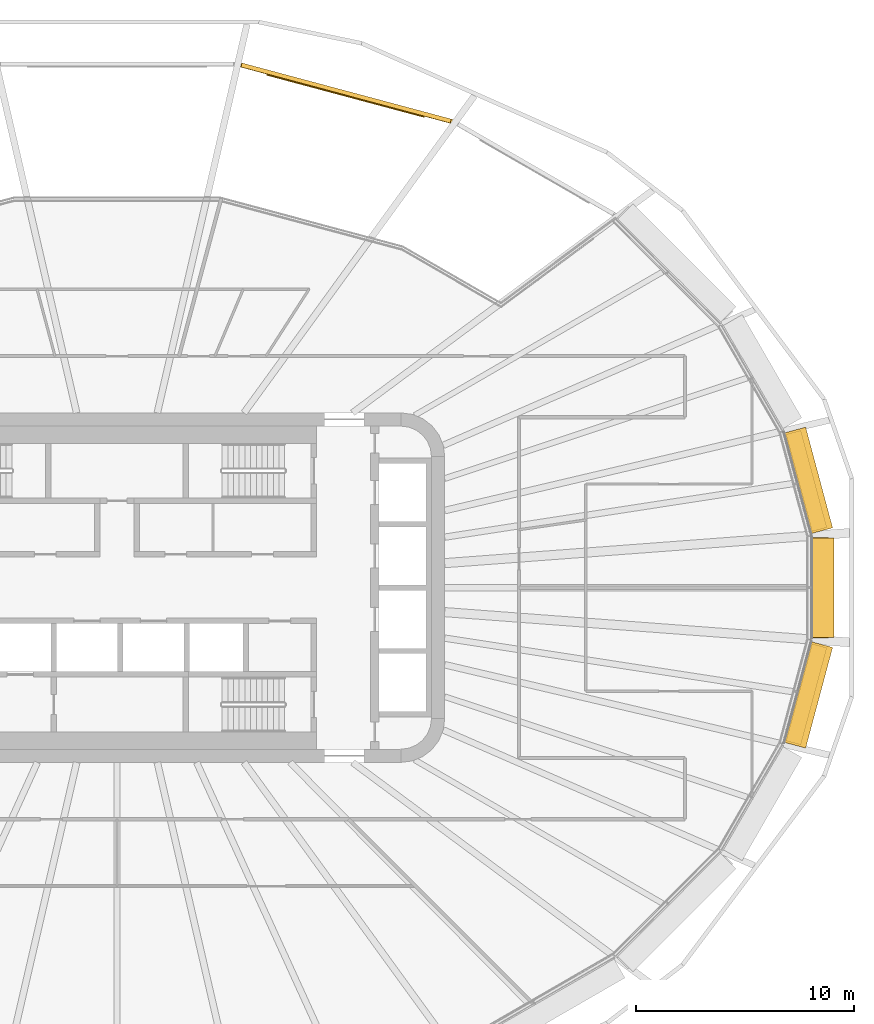
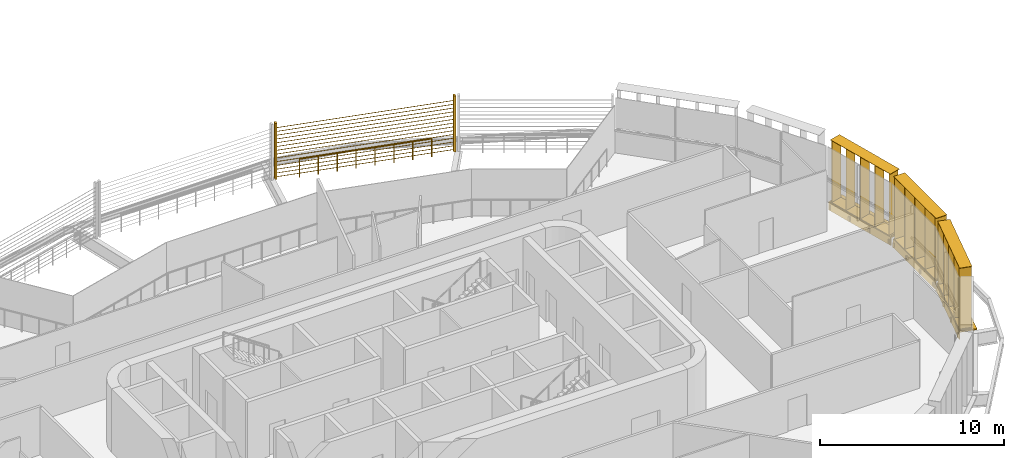
# One storey, part 25 of 25: 7 shading devices, 1 railing.
"""IFC4 building model written with IfcOpenShell, lengths in metres."""

from ifc_helpers import new_model, si_unit, direction, frame, origin, origin_2d, place, context, subcontext, project, spatial, rectangle, circle, extrude, material, type_object, element, save


model = new_model("IFC4")

# Units and contexts
model_context = context("Model", 3, precision=1e-05, world=origin(), true_north=direction((0.0, 1.0)))
body_context = subcontext(model_context, "Body", "Model", "MODEL_VIEW")
ifc_project = project(units=[si_unit("LENGTHUNIT", "METRE"), si_unit("AREAUNIT", "SQUARE_METRE"), si_unit("VOLUMEUNIT", "CUBIC_METRE"), si_unit("PLANEANGLEUNIT", "RADIAN"), si_unit("MASSUNIT", "GRAM", prefix="KILO")], contexts=[model_context])

# Site, building, storey
site_placement = place(None, origin())
site = spatial("IfcSite", under=ifc_project, at=site_placement, CompositionType="ELEMENT")
building_placement = place(site_placement, origin())
building = spatial("IfcBuilding", under=site, at=building_placement, Name="Sahrelin Media Tower", CompositionType="ELEMENT")
storey_placement = place(building_placement, frame((0.0, 0.0, 127.199951171875)))
storey = spatial("IfcBuildingStorey", under=building, at=storey_placement, Name="L25", CompositionType="ELEMENT", Elevation=127.199951171875)

# Shading devices
ifc_material_1 = material(Name="Champagne anodised aluminium 6063-T6", Category="aluminium")
shading_device_type_1 = type_object("IfcShadingDeviceType", Name="Fin cassette", PredefinedType="USERDEFINED", material=ifc_material_1)
placement_1 = place(storey_placement, frame((31.798095703125, 0.0, 0.0), z_axis=(0.0, 0.0, 1.0), x_axis=(0.0, -1.0, 0.0)))
element("IfcShadingDevice", 1, at=placement_1, inside=storey, type_object=shading_device_type_1, Name="L25:FIN:L25-00", ObjectType="FIN", PredefinedType="USERDEFINED", context=body_context, shape_type="SweptSolid", body=[
    extrude(rectangle(XDim=4.60009765625, YDim=0.699951171875, at=origin_2d()), frame((0.0, 0.419921875, 0.0)), (0.0, 0.0, 1.0), 0.02001953125),
    extrude(rectangle(XDim=4.60009765625, YDim=0.699951171875, at=origin_2d()), frame((0.0, 0.419921875, 4.10009765625)), (0.0, 0.0, 1.0), 0.02001953125),
    extrude(rectangle(XDim=0.02001953125, YDim=0.699951171875, at=origin_2d()), frame((-2.199951171875, 0.419921875, 0.010009765625), z_axis=(0.0, 0.0, 1.0), x_axis=(1.0, 0.0, 0.0)), (0.0, 0.0, 1.0), 4.10009765625),
    extrude(rectangle(XDim=0.02001953125, YDim=0.699951171875, at=origin_2d()), frame((-1.10009765625, 0.419921875, 0.010009765625), z_axis=(0.0, 0.0, 1.0), x_axis=(1.0, 0.0, 0.0)), (0.0, 0.0, 1.0), 4.10009765625),
    extrude(rectangle(XDim=0.02001953125, YDim=0.699951171875, at=origin_2d()), frame((0.0, 0.419921875, 0.010009765625), z_axis=(0.0, 0.0, 1.0), x_axis=(1.0, 0.0, 0.0)), (0.0, 0.0, 1.0), 4.10009765625),
    extrude(rectangle(XDim=0.02001953125, YDim=0.699951171875, at=origin_2d()), frame((1.10009765625, 0.419921875, 0.010009765625), z_axis=(0.0, 0.0, 1.0), x_axis=(1.0, 0.0, 0.0)), (0.0, 0.0, 1.0), 4.10009765625),
    extrude(rectangle(XDim=0.02001953125, YDim=0.699951171875, at=origin_2d()), frame((2.199951171875, 0.419921875, 0.010009765625), z_axis=(0.0, 0.0, 1.0), x_axis=(1.0, 0.0, 0.0)), (0.0, 0.0, 1.0), 4.10009765625),
])
placement_2 = place(storey_placement, frame((31.155029296875, 4.775634765625, 0.0), z_axis=(0.0, 0.0, 1.0), x_axis=(0.258807731996, -0.965928857556, 0.0)))
element("IfcShadingDevice", 2, at=placement_2, inside=storey, type_object=shading_device_type_1, Name="L25:FIN:L25-01", ObjectType="FIN", PredefinedType="USERDEFINED", context=body_context, shape_type="SweptSolid", body=[
    extrude(rectangle(XDim=4.60009765625, YDim=0.699951171875, at=origin_2d()), frame((0.0, 0.419921875, 0.0)), (0.0, 0.0, 1.0), 0.02001953125),
    extrude(rectangle(XDim=4.60009765625, YDim=0.699951171875, at=origin_2d()), frame((0.0, 0.419921875, 4.10009765625)), (0.0, 0.0, 1.0), 0.02001953125),
    extrude(rectangle(XDim=0.02001953125, YDim=0.699951171875, at=origin_2d()), frame((-2.199951171875, 0.419921875, 0.010009765625), z_axis=(0.0, 0.0, 1.0), x_axis=(1.0, 0.0, 0.0)), (0.0, 0.0, 1.0), 4.10009765625),
    extrude(rectangle(XDim=0.02001953125, YDim=0.699951171875, at=origin_2d()), frame((-1.10009765625, 0.419921875, 0.010009765625), z_axis=(0.0, 0.0, 1.0), x_axis=(1.0, 0.0, 0.0)), (0.0, 0.0, 1.0), 4.10009765625),
    extrude(rectangle(XDim=0.02001953125, YDim=0.699951171875, at=origin_2d()), frame((0.0, 0.419921875, 0.010009765625), z_axis=(0.0, 0.0, 1.0), x_axis=(1.0, 0.0, 0.0)), (0.0, 0.0, 1.0), 4.10009765625),
    extrude(rectangle(XDim=0.02001953125, YDim=0.699951171875, at=origin_2d()), frame((1.10009765625, 0.419921875, 0.010009765625), z_axis=(0.0, 0.0, 1.0), x_axis=(1.0, 0.0, 0.0)), (0.0, 0.0, 1.0), 4.10009765625),
    extrude(rectangle(XDim=0.02001953125, YDim=0.699951171875, at=origin_2d()), frame((2.199951171875, 0.419921875, 0.010009765625), z_axis=(0.0, 0.0, 1.0), x_axis=(1.0, 0.0, 0.0)), (0.0, 0.0, 1.0), 4.10009765625),
])
placement_3 = place(storey_placement, frame((31.155029296875, -4.77587890625, 0.0), z_axis=(0.0, 0.0, 1.0), x_axis=(-0.258807731996, -0.965928857556, 0.0)))
element("IfcShadingDevice", 3, at=placement_3, inside=storey, type_object=shading_device_type_1, Name="L25:FIN:L25-23", ObjectType="FIN", PredefinedType="USERDEFINED", context=body_context, shape_type="SweptSolid", body=[
    extrude(rectangle(XDim=4.60009765625, YDim=0.699951171875, at=origin_2d()), frame((0.0, 0.419921875, 0.0)), (0.0, 0.0, 1.0), 0.02001953125),
    extrude(rectangle(XDim=4.60009765625, YDim=0.699951171875, at=origin_2d()), frame((0.0, 0.419921875, 4.10009765625)), (0.0, 0.0, 1.0), 0.02001953125),
    extrude(rectangle(XDim=0.02001953125, YDim=0.699951171875, at=origin_2d()), frame((-2.199951171875, 0.419921875, 0.010009765625), z_axis=(0.0, 0.0, 1.0), x_axis=(1.0, 0.0, 0.0)), (0.0, 0.0, 1.0), 4.10009765625),
    extrude(rectangle(XDim=0.02001953125, YDim=0.699951171875, at=origin_2d()), frame((-1.10009765625, 0.419921875, 0.010009765625), z_axis=(0.0, 0.0, 1.0), x_axis=(1.0, 0.0, 0.0)), (0.0, 0.0, 1.0), 4.10009765625),
    extrude(rectangle(XDim=0.02001953125, YDim=0.699951171875, at=origin_2d()), frame((0.0, 0.419921875, 0.010009765625), z_axis=(0.0, 0.0, 1.0), x_axis=(1.0, 0.0, 0.0)), (0.0, 0.0, 1.0), 4.10009765625),
    extrude(rectangle(XDim=0.02001953125, YDim=0.699951171875, at=origin_2d()), frame((1.10009765625, 0.419921875, 0.010009765625), z_axis=(0.0, 0.0, 1.0), x_axis=(1.0, 0.0, 0.0)), (0.0, 0.0, 1.0), 4.10009765625),
    extrude(rectangle(XDim=0.02001953125, YDim=0.699951171875, at=origin_2d()), frame((2.199951171875, 0.419921875, 0.010009765625), z_axis=(0.0, 0.0, 1.0), x_axis=(1.0, 0.0, 0.0)), (0.0, 0.0, 1.0), 4.10009765625),
])
shading_device_type_2 = type_object("IfcShadingDeviceType", Name="Garden screen", PredefinedType="USERDEFINED", material=ifc_material_1)
shading_device_4_placement = place(storey_placement, frame((10.460205078125, 22.537353515625, 0.0), z_axis=(0.0, 0.0, 1.0), x_axis=(0.965928857556, -0.258807731996, 0.0)))
element("IfcShadingDevice", 4, at=shading_device_4_placement, inside=storey, type_object=shading_device_type_2, Name="L25:SCREEN:L25-05", ObjectType="SCREEN", PredefinedType="USERDEFINED", context=body_context, shape_type="SweptSolid", body=[
    extrude(rectangle(XDim=0.1201171875, YDim=0.199951171875, at=origin_2d()), frame((5.018798828125, 0.10009765625, 0.050048828125), z_axis=(0.0, 0.0, 1.0), x_axis=(1.0, 0.0, 0.0)), (0.0, 0.0, 1.0), 3.698486328125),
    extrude(rectangle(XDim=0.1201171875, YDim=0.199951171875, at=origin_2d()), frame((-5.018798828125, 0.10009765625, 0.050048828125), z_axis=(0.0, 0.0, 1.0), x_axis=(1.0, 0.0, 0.0)), (0.0, 0.0, 1.0), 3.698486328125),
    extrude(rectangle(XDim=0.25, YDim=0.02001953125, at=origin_2d()), frame((4.958740234375, 0.10009765625, 0.14990234375), z_axis=(-1.0, 0.0, 0.0), x_axis=(0.0, -0.766044443119, 0.642787609687)), (0.0, 0.0, 1.0), 9.91748046875),
    extrude(rectangle(XDim=0.25, YDim=0.02001953125, at=origin_2d()), frame((4.958740234375, 0.10009765625, 0.39990234375), z_axis=(-1.0, 0.0, 0.0), x_axis=(0.0, -0.766044443119, 0.642787609687)), (0.0, 0.0, 1.0), 9.91748046875),
    extrude(rectangle(XDim=0.25, YDim=0.02001953125, at=origin_2d()), frame((4.958740234375, 0.10009765625, 0.64990234375), z_axis=(-1.0, 0.0, 0.0), x_axis=(0.0, -0.766044443119, 0.642787609687)), (0.0, 0.0, 1.0), 9.91748046875),
    extrude(rectangle(XDim=0.25, YDim=0.02001953125, at=origin_2d()), frame((4.958740234375, 0.10009765625, 0.89990234375), z_axis=(-1.0, 0.0, 0.0), x_axis=(0.0, -0.766044443119, 0.642787609687)), (0.0, 0.0, 1.0), 9.91748046875),
    extrude(rectangle(XDim=0.25, YDim=0.02001953125, at=origin_2d()), frame((4.958740234375, 0.10009765625, 1.14990234375), z_axis=(-1.0, 0.0, 0.0), x_axis=(0.0, -0.766044443119, 0.642787609687)), (0.0, 0.0, 1.0), 9.91748046875),
    extrude(rectangle(XDim=0.25, YDim=0.02001953125, at=origin_2d()), frame((4.958740234375, 0.10009765625, 1.39990234375), z_axis=(-1.0, 0.0, 0.0), x_axis=(0.0, -0.766044443119, 0.642787609687)), (0.0, 0.0, 1.0), 9.91748046875),
    extrude(rectangle(XDim=0.25, YDim=0.02001953125, at=origin_2d()), frame((4.958740234375, 0.10009765625, 1.64990234375), z_axis=(-1.0, 0.0, 0.0), x_axis=(0.0, -0.766044443119, 0.642787609687)), (0.0, 0.0, 1.0), 9.91748046875),
    extrude(rectangle(XDim=0.25, YDim=0.02001953125, at=origin_2d()), frame((4.958740234375, 0.10009765625, 1.89990234375), z_axis=(-1.0, 0.0, 0.0), x_axis=(0.0, -0.766044443119, 0.642787609687)), (0.0, 0.0, 1.0), 9.91748046875),
    extrude(rectangle(XDim=0.25, YDim=0.02001953125, at=origin_2d()), frame((4.958740234375, 0.10009765625, 2.14990234375), z_axis=(-1.0, 0.0, 0.0), x_axis=(0.0, -0.766044443119, 0.642787609687)), (0.0, 0.0, 1.0), 9.91748046875),
    extrude(rectangle(XDim=0.25, YDim=0.02001953125, at=origin_2d()), frame((4.958740234375, 0.10009765625, 2.39990234375), z_axis=(-1.0, 0.0, 0.0), x_axis=(0.0, -0.766044443119, 0.642787609687)), (0.0, 0.0, 1.0), 9.91748046875),
    extrude(rectangle(XDim=0.25, YDim=0.02001953125, at=origin_2d()), frame((4.958740234375, 0.10009765625, 2.64990234375), z_axis=(-1.0, 0.0, 0.0), x_axis=(0.0, -0.766044443119, 0.642787609687)), (0.0, 0.0, 1.0), 9.91748046875),
    extrude(rectangle(XDim=0.25, YDim=0.02001953125, at=origin_2d()), frame((4.958740234375, 0.10009765625, 2.89990234375), z_axis=(-1.0, 0.0, 0.0), x_axis=(0.0, -0.766044443119, 0.642787609687)), (0.0, 0.0, 1.0), 9.91748046875),
    extrude(rectangle(XDim=0.25, YDim=0.02001953125, at=origin_2d()), frame((4.958740234375, 0.10009765625, 3.14990234375), z_axis=(-1.0, 0.0, 0.0), x_axis=(0.0, -0.766044443119, 0.642787609687)), (0.0, 0.0, 1.0), 9.91748046875),
    extrude(rectangle(XDim=0.25, YDim=0.02001953125, at=origin_2d()), frame((4.958740234375, 0.10009765625, 3.39990234375), z_axis=(-1.0, 0.0, 0.0), x_axis=(0.0, -0.766044443119, 0.642787609687)), (0.0, 0.0, 1.0), 9.91748046875),
])

# Railing
ifc_material_2 = material(Name="Stainless steel 316", Category="steel")
railing_type = type_object("IfcRailingType", Name="Sky garden guard", PredefinedType="GUARDRAIL", material=ifc_material_2)
railing_placement = place(storey_placement, frame((6.865478515625, 23.477294921875, 0.0)))
element("IfcRailing", 5, at=railing_placement, inside=storey, type_object=railing_type, Name="Sky garden void guard G2-4", PredefinedType="GUARDRAIL", context=body_context, shape_type="SweptSolid", body=[
    extrude(circle(Radius=0.02392578125, at=origin_2d()), frame((0.0, 0.0, 1.17578125), z_axis=(0.965920621981, -0.258838467064, 0.0), x_axis=(0.258838467064, 0.965920621981, 0.0)), (0.0, 0.0, 1.0), 7.4296875),
    extrude(circle(Radius=0.02099609375, at=origin_2d()), origin(), (0.0, 0.0, 1.0), 1.15185546875),
    extrude(circle(Radius=0.02099609375, at=origin_2d()), frame((1.025146484375, -0.274658203125, 0.0)), (0.0, 0.0, 1.0), 1.15185546875),
    extrude(circle(Radius=0.02099609375, at=origin_2d()), frame((2.050537109375, -0.549560546875, 0.0)), (0.0, 0.0, 1.0), 1.15185546875),
    extrude(circle(Radius=0.02099609375, at=origin_2d()), frame((3.07568359375, -0.82421875, 0.0)), (0.0, 0.0, 1.0), 1.15185546875),
    extrude(circle(Radius=0.02099609375, at=origin_2d()), frame((4.100830078125, -1.098876953125, 0.0)), (0.0, 0.0, 1.0), 1.15185546875),
    extrude(circle(Radius=0.02099609375, at=origin_2d()), frame((5.1259765625, -1.37353515625, 0.0)), (0.0, 0.0, 1.0), 1.15185546875),
    extrude(circle(Radius=0.02099609375, at=origin_2d()), frame((6.1513671875, -1.6484375, 0.0)), (0.0, 0.0, 1.0), 1.15185546875),
    extrude(circle(Radius=0.02099609375, at=origin_2d()), frame((7.176513671875, -1.923095703125, 0.0)), (0.0, 0.0, 1.0), 1.15185546875),
])

# Shading devices
shading_device_type_3 = type_object("IfcShadingDeviceType", Name="Sunshade band", PredefinedType="USERDEFINED", material=ifc_material_1)
element("IfcShadingDevice", 6, at=placement_1, inside=storey, type_object=shading_device_type_3, Name="L25:SUN:L25-00", ObjectType="SUNSHADE", PredefinedType="USERDEFINED", context=body_context, shape_type="SweptSolid", body=[
    extrude(rectangle(XDim=4.551513671875, YDim=0.050048828125, at=origin_2d()), frame((0.0, 0.044921875, -0.55126953125)), (0.0, 0.0, 1.0), 0.471435546875),
    extrude(rectangle(XDim=4.551513671875, YDim=1.0, at=origin_2d()), frame((0.0, 0.52001953125, -0.080078125)), (0.0, 0.0, 1.0), 0.080078125),
    extrude(rectangle(XDim=0.10009765625, YDim=0.074951171875, at=origin_2d()), frame((-2.17578125, -0.017578125, -0.47021484375)), (0.0, 0.0, 1.0), 0.300048828125),
    extrude(rectangle(XDim=0.10009765625, YDim=0.074951171875, at=origin_2d()), frame((-0.725341796875, -0.017578125, -0.47021484375)), (0.0, 0.0, 1.0), 0.300048828125),
    extrude(rectangle(XDim=0.10009765625, YDim=0.074951171875, at=origin_2d()), frame((0.725341796875, -0.017578125, -0.47021484375)), (0.0, 0.0, 1.0), 0.300048828125),
    extrude(rectangle(XDim=0.10009765625, YDim=0.074951171875, at=origin_2d()), frame((2.17578125, -0.017578125, -0.47021484375)), (0.0, 0.0, 1.0), 0.300048828125),
])
element("IfcShadingDevice", 7, at=placement_2, inside=storey, type_object=shading_device_type_3, Name="L25:SUN:L25-01", ObjectType="SUNSHADE", PredefinedType="USERDEFINED", context=body_context, shape_type="SweptSolid", body=[
    extrude(rectangle(XDim=4.769287109375, YDim=0.050048828125, at=origin_2d()), frame((0.0, 0.044921875, -0.55126953125)), (0.0, 0.0, 1.0), 0.471435546875),
    extrude(rectangle(XDim=4.769287109375, YDim=1.0, at=origin_2d()), frame((0.0, 0.52001953125, -0.080078125)), (0.0, 0.0, 1.0), 0.080078125),
    extrude(rectangle(XDim=0.10009765625, YDim=0.074951171875, at=origin_2d()), frame((-2.28466796875, -0.017578125, -0.47021484375)), (0.0, 0.0, 1.0), 0.300048828125),
    extrude(rectangle(XDim=0.10009765625, YDim=0.074951171875, at=origin_2d()), frame((-0.761474609375, -0.017578125, -0.47021484375)), (0.0, 0.0, 1.0), 0.300048828125),
    extrude(rectangle(XDim=0.10009765625, YDim=0.074951171875, at=origin_2d()), frame((0.761474609375, -0.017578125, -0.47021484375)), (0.0, 0.0, 1.0), 0.300048828125),
    extrude(rectangle(XDim=0.10009765625, YDim=0.074951171875, at=origin_2d()), frame((2.28466796875, -0.017578125, -0.47021484375)), (0.0, 0.0, 1.0), 0.300048828125),
])
element("IfcShadingDevice", 8, at=placement_3, inside=storey, type_object=shading_device_type_3, Name="L25:SUN:L25-23", ObjectType="SUNSHADE", PredefinedType="USERDEFINED", context=body_context, shape_type="SweptSolid", body=[
    extrude(rectangle(XDim=4.769287109375, YDim=0.050048828125, at=origin_2d()), frame((0.0, 0.044921875, -0.55126953125)), (0.0, 0.0, 1.0), 0.471435546875),
    extrude(rectangle(XDim=4.769287109375, YDim=1.0, at=origin_2d()), frame((0.0, 0.52001953125, -0.080078125)), (0.0, 0.0, 1.0), 0.080078125),
    extrude(rectangle(XDim=0.10009765625, YDim=0.074951171875, at=origin_2d()), frame((-2.28466796875, -0.017578125, -0.47021484375)), (0.0, 0.0, 1.0), 0.300048828125),
    extrude(rectangle(XDim=0.10009765625, YDim=0.074951171875, at=origin_2d()), frame((-0.761474609375, -0.017578125, -0.47021484375)), (0.0, 0.0, 1.0), 0.300048828125),
    extrude(rectangle(XDim=0.10009765625, YDim=0.074951171875, at=origin_2d()), frame((0.761474609375, -0.017578125, -0.47021484375)), (0.0, 0.0, 1.0), 0.300048828125),
    extrude(rectangle(XDim=0.10009765625, YDim=0.074951171875, at=origin_2d()), frame((2.28466796875, -0.017578125, -0.47021484375)), (0.0, 0.0, 1.0), 0.300048828125),
])

save(model, "model.ifc")
